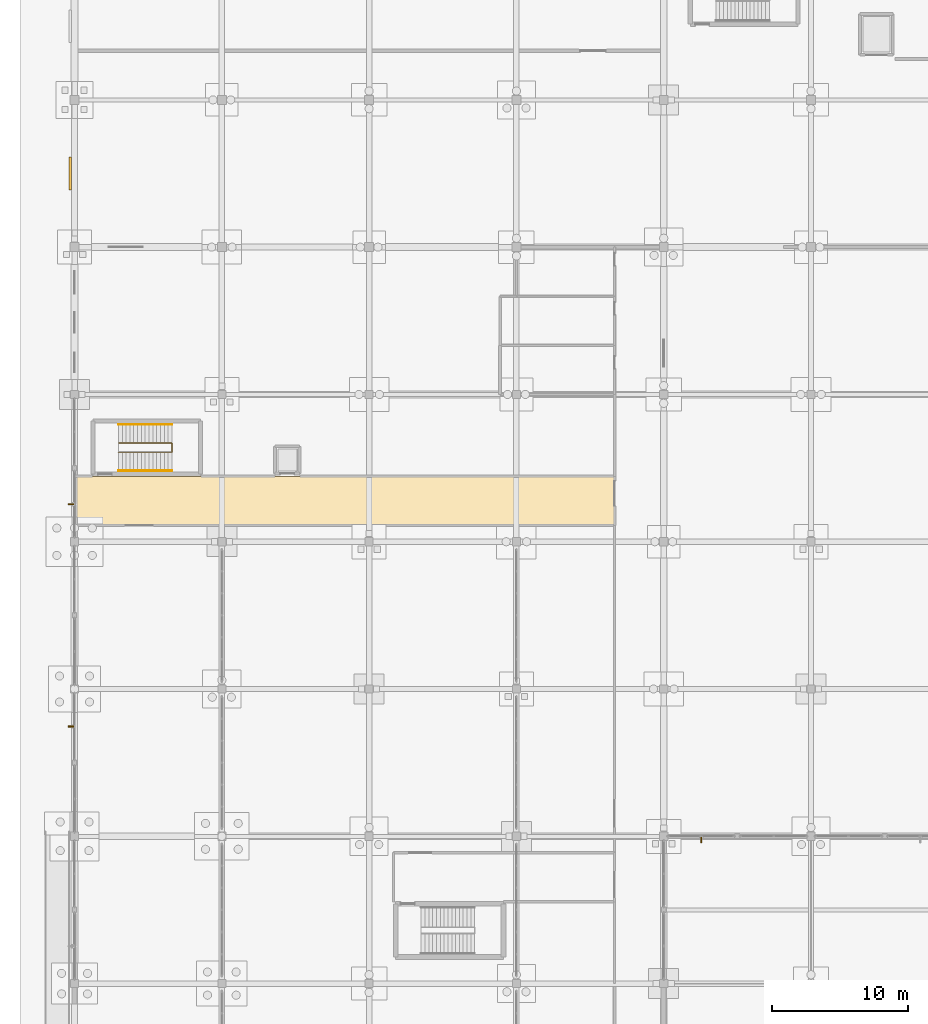
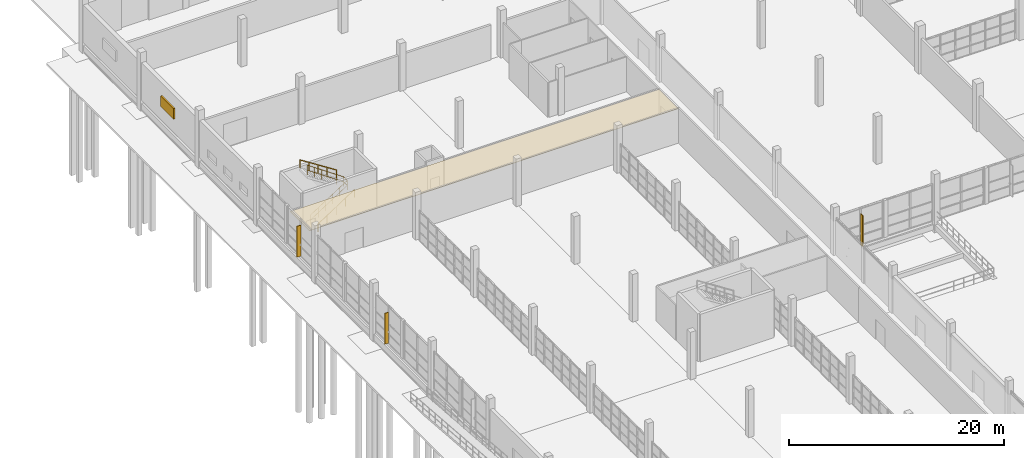
# One storey, part 130 of 138: 4 shading devices, 3 railings, 1 covering.
"""IFC4 building model written with IfcOpenShell, lengths in metres."""

from ifc_helpers import new_model, si_unit, direction, frame, origin, origin_2d, place, context, subcontext, project, spatial, polyline, rectangle, circle, outline, extrude, material, layer, layer_set, type_object, element, save


model = new_model("IFC4")

# Units and contexts
model_context = context("Model", 3, precision=1e-05, world=origin(), true_north=direction((0.0, 1.0)))
body_context = subcontext(model_context, "Body", "Model", "MODEL_VIEW")
ifc_project = project(units=[si_unit("LENGTHUNIT", "METRE"), si_unit("AREAUNIT", "SQUARE_METRE"), si_unit("VOLUMEUNIT", "CUBIC_METRE"), si_unit("PLANEANGLEUNIT", "RADIAN"), si_unit("MASSUNIT", "GRAM", prefix="KILO")], contexts=[model_context])

# Site, building, storey
site_placement = place(None, origin())
site = spatial("IfcSite", under=ifc_project, at=site_placement, CompositionType="ELEMENT")
building_placement = place(site_placement, origin())
building = spatial("IfcBuilding", under=site, at=building_placement, Name="Zwinboog Wholesale Market", CompositionType="ELEMENT")
storey_placement = place(building_placement, origin())
storey = spatial("IfcBuildingStorey", under=building, at=storey_placement, Name="L00", CompositionType="ELEMENT", Elevation=0.0)

# Shading devices
ifc_material_1 = material(Name="Western red cedar timber", Category="wood")
shading_device_type_1 = type_object("IfcShadingDeviceType", Name="SHD-FIN-CEDAR", PredefinedType="USERDEFINED", material=ifc_material_1)
for number, where, z_axis, x_axis, name in (
    (1, (-0.2548828125, 72.8525390625, 0.080078125), (0.0, 0.0, 1.0), (1.0, 0.0, 0.0), "FN-01 (SHD-FIN-004)"),
    (2, (-0.27001953125, 89.1474609375, 0.080078125), (0.0, 0.0, 1.0), (1.0, 0.0, 0.0), "FN-01 (SHD-FIN-005)"),
    (3, (45.947509765625, 64.530029296875, 0.080078125), (0.0, 0.0, 1.0), (0.0, 1.0, 0.0), "FN-01 (SHD-FIN-009)"),
):
    element("IfcShadingDevice", number, at=place(storey_placement, frame(where, z_axis=z_axis, x_axis=x_axis)), inside=storey, type_object=shading_device_type_1, Name=name, ObjectType="FIN", PredefinedType="USERDEFINED", context=body_context, shape_type="SweptSolid", body=[
        extrude(rectangle(XDim=0.419921875, YDim=0.0849609375, at=origin_2d()), origin(), (0.0, 0.0, 1.0), 3.5),
    ])
shading_device_type_2 = type_object("IfcShadingDeviceType", Name="SHD-LVR-CEDAR", PredefinedType="JALOUSIE", material=ifc_material_1)
shading_device_placement = place(storey_placement, frame((-0.3076171875, 113.39990234375, 1.7001953125), z_axis=(0.0, 0.0, 1.0), x_axis=(0.0, 1.0, 0.0)))
element("IfcShadingDevice", 4, at=shading_device_placement, inside=storey, type_object=shading_device_type_2, Name="LV-01 (SHD-LVR-01)", PredefinedType="JALOUSIE", context=body_context, shape_type="SweptSolid", body=[
    extrude(rectangle(XDim=2.39990234375, YDim=0.179931640625, at=origin_2d()), origin(), (0.0, 0.0, 1.0), 1.199951171875),
])

# Railings
ifc_material_2 = material(Name="Steel S355", Category="steel")
railing_type_1 = type_object("IfcRailingType", Name="RLT-INT-GUARD", PredefinedType="BALUSTRADE", material=ifc_material_2)
railing_1_placement = place(storey_placement, frame((3.219970703125, 92.9599609375, 0.179931640625)))
element("IfcRailing", 5, at=railing_1_placement, inside=storey, type_object=railing_type_1, Name="GR-02 (RLG-ST-02-G1)", PredefinedType="BALUSTRADE", context=body_context, shape_type="SweptSolid", body=[
    extrude(circle(Radius=0.02392578125, at=origin_2d()), frame((0.0, 0.0, 1.09619140625), z_axis=(0.841171666519, 0.0, 0.540768182723), x_axis=(0.0, 1.0, 0.0)), (0.0, 0.0, 1.0), 4.66015625),
    extrude(circle(Radius=0.02392578125, at=origin_2d()), frame((0.0, 0.0, 0.5361328125), z_axis=(0.841171666519, 0.0, 0.540768182723), x_axis=(0.0, 1.0, 0.0)), (0.0, 0.0, 1.0), 4.66015625),
    extrude(circle(Radius=0.02392578125, at=origin_2d()), frame((3.919921875, 0.0, 3.6162109375), z_axis=(0.0, 1.0, 0.0), x_axis=(-1.0, 0.0, 0.0)), (0.0, 0.0, 1.0), 0.679931640625),
    extrude(circle(Radius=0.02392578125, at=origin_2d()), frame((3.919921875, 0.0, 3.05615234375), z_axis=(0.0, 1.0, 0.0), x_axis=(-1.0, 0.0, 0.0)), (0.0, 0.0, 1.0), 0.679931640625),
    extrude(circle(Radius=0.02392578125, at=origin_2d()), frame((3.919921875, 0.679931640625, 3.6162109375), z_axis=(-0.823550731654, 0.0, 0.567242622158), x_axis=(0.0, -1.0, 0.0)), (0.0, 0.0, 1.0), 4.759765625),
    extrude(circle(Radius=0.02392578125, at=origin_2d()), frame((3.919921875, 0.679931640625, 3.05615234375), z_axis=(-0.823550731654, 0.0, 0.567242622158), x_axis=(0.0, -1.0, 0.0)), (0.0, 0.0, 1.0), 4.759765625),
    extrude(circle(Radius=0.02099609375, at=origin_2d()), origin(), (0.0, 0.0, 1.0), 1.072021484375),
    extrude(circle(Radius=0.02099609375, at=origin_2d()), frame((0.783935546875, 0.0, 0.50390625)), (0.0, 0.0, 1.0), 1.072021484375),
    extrude(circle(Radius=0.02099609375, at=origin_2d()), frame((1.56787109375, 0.0, 1.008056640625)), (0.0, 0.0, 1.0), 1.072021484375),
    extrude(circle(Radius=0.02099609375, at=origin_2d()), frame((2.35205078125, 0.0, 1.511962890625)), (0.0, 0.0, 1.0), 1.072021484375),
    extrude(circle(Radius=0.02099609375, at=origin_2d()), frame((3.135986328125, 0.0, 2.01611328125)), (0.0, 0.0, 1.0), 1.072021484375),
    extrude(circle(Radius=0.02099609375, at=origin_2d()), frame((3.919921875, 0.0, 2.52001953125)), (0.0, 0.0, 1.0), 1.072021484375),
    extrude(circle(Radius=0.02099609375, at=origin_2d()), frame((3.919921875, 0.679931640625, 2.52001953125)), (0.0, 0.0, 1.0), 1.072021484375),
    extrude(circle(Radius=0.02099609375, at=origin_2d()), frame((3.135986328125, 0.679931640625, 3.06005859375)), (0.0, 0.0, 1.0), 1.072021484375),
    extrude(circle(Radius=0.02099609375, at=origin_2d()), frame((2.35205078125, 0.679931640625, 3.60009765625)), (0.0, 0.0, 1.0), 1.072021484375),
    extrude(circle(Radius=0.02099609375, at=origin_2d()), frame((1.56787109375, 0.679931640625, 4.139892578125)), (0.0, 0.0, 1.0), 1.072021484375),
    extrude(circle(Radius=0.02099609375, at=origin_2d()), frame((0.783935546875, 0.679931640625, 4.679931640625)), (0.0, 0.0, 1.0), 1.072021484375),
    extrude(circle(Radius=0.02099609375, at=origin_2d()), frame((0.0, 0.679931640625, 5.219970703125)), (0.0, 0.0, 1.0), 1.072021484375),
])
railing_type_2 = type_object("IfcRailingType", Name="RLT-HANDRAIL", PredefinedType="HANDRAIL", material=ifc_material_2)
railing_2_placement = place(storey_placement, frame((3.219970703125, 91.610107421875, 0.179931640625)))
element("IfcRailing", 6, at=railing_2_placement, inside=storey, type_object=railing_type_2, Name="HR-01 (RLG-ST-02-HR1)", PredefinedType="HANDRAIL", context=body_context, shape_type="SweptSolid", body=[
    extrude(circle(Radius=0.02392578125, at=origin_2d()), frame((0.0, 0.0, 0.8759765625), z_axis=(0.841171666519, 0.0, 0.540768182723), x_axis=(0.0, 1.0, 0.0)), (0.0, 0.0, 1.0), 4.66015625),
    extrude(circle(Radius=0.02099609375, at=origin_2d()), origin(), (0.0, 0.0, 1.0), 0.851806640625),
    extrude(circle(Radius=0.02099609375, at=origin_2d()), frame((0.97998046875, 0.0, 0.6298828125)), (0.0, 0.0, 1.0), 0.851806640625),
    extrude(circle(Radius=0.02099609375, at=origin_2d()), frame((1.9599609375, 0.0, 1.260009765625)), (0.0, 0.0, 1.0), 0.851806640625),
    extrude(circle(Radius=0.02099609375, at=origin_2d()), frame((2.93994140625, 0.0, 1.89013671875)), (0.0, 0.0, 1.0), 0.851806640625),
    extrude(circle(Radius=0.02099609375, at=origin_2d()), frame((3.919921875, 0.0, 2.52001953125)), (0.0, 0.0, 1.0), 0.851806640625),
])
railing_3_placement = place(storey_placement, frame((7.139892578125, 94.989990234375, 2.8798828125)))
element("IfcRailing", 7, at=railing_3_placement, inside=storey, type_object=railing_type_2, Name="HR-01 (RLG-ST-02-HR2)", PredefinedType="HANDRAIL", context=body_context, shape_type="SweptSolid", body=[
    extrude(circle(Radius=0.02392578125, at=origin_2d()), frame((0.0, 0.0, 0.8759765625), z_axis=(-0.841171666519, 0.0, 0.540768182723), x_axis=(0.0, -1.0, 0.0)), (0.0, 0.0, 1.0), 4.66015625),
    extrude(circle(Radius=0.02099609375, at=origin_2d()), origin(), (0.0, 0.0, 1.0), 0.851806640625),
    extrude(circle(Radius=0.02099609375, at=origin_2d()), frame((-0.97998046875, 0.0, 0.6298828125)), (0.0, 0.0, 1.0), 0.851806640625),
    extrude(circle(Radius=0.02099609375, at=origin_2d()), frame((-1.9599609375, 0.0, 1.260009765625)), (0.0, 0.0, 1.0), 0.851806640625),
    extrude(circle(Radius=0.02099609375, at=origin_2d()), frame((-2.93994140625, 0.0, 1.89013671875)), (0.0, 0.0, 1.0), 0.851806640625),
    extrude(circle(Radius=0.02099609375, at=origin_2d()), frame((-3.919921875, 0.0, 2.52001953125)), (0.0, 0.0, 1.0), 0.851806640625),
])

# Covering
ifc_material_3 = material(Name="Hygienic washable acoustic gypsum ceiling")
ifc_layer = layer(ifc_material_3, 0.050048828125)
ifc_layer_set = layer_set([ifc_layer], Name="Hygienic washable acoustic gypsum ceiling")
covering_type = type_object("IfcCoveringType", Name="COV-CEIL-HYG", PredefinedType="CEILING", material=ifc_layer_set)
covering_placement = place(storey_placement, frame((0.0, 0.0, 3.800048828125)))
element("IfcCovering", 8, at=covering_placement, inside=storey, type_object=covering_type, Name="CL-02 (COV-CL-L00-005)", PredefinedType="CEILING", context=body_context, shape_type="SweptSolid", body=[
    extrude(outline(polyline([(0.0, 87.60009765625), (39.60009765625, 87.60009765625), (39.60009765625, 91.199951171875), (0.0, 91.199951171875), (0.0, 87.60009765625)])), origin(), (0.0, 0.0, 1.0), 0.050048828125),
])

save(model, "model.ifc")
